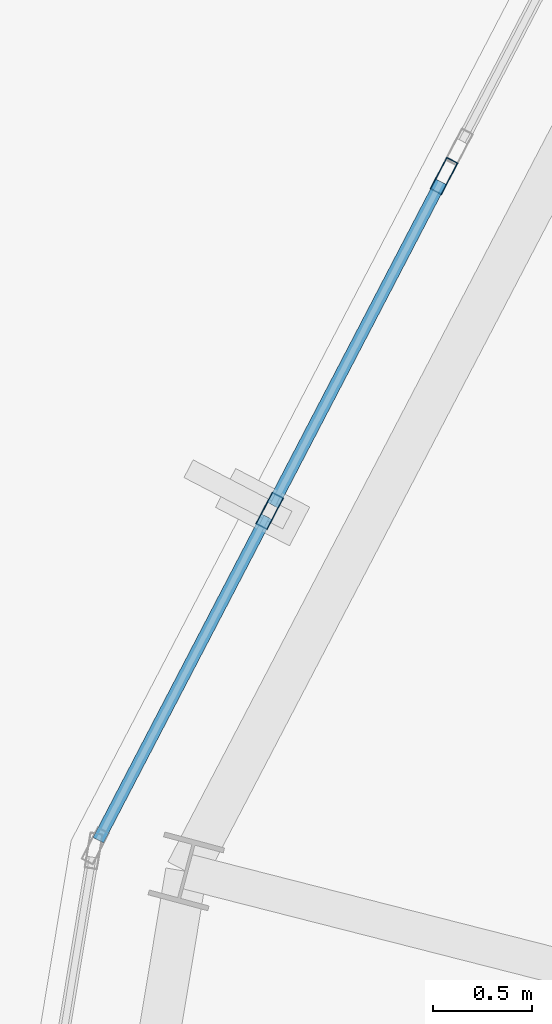
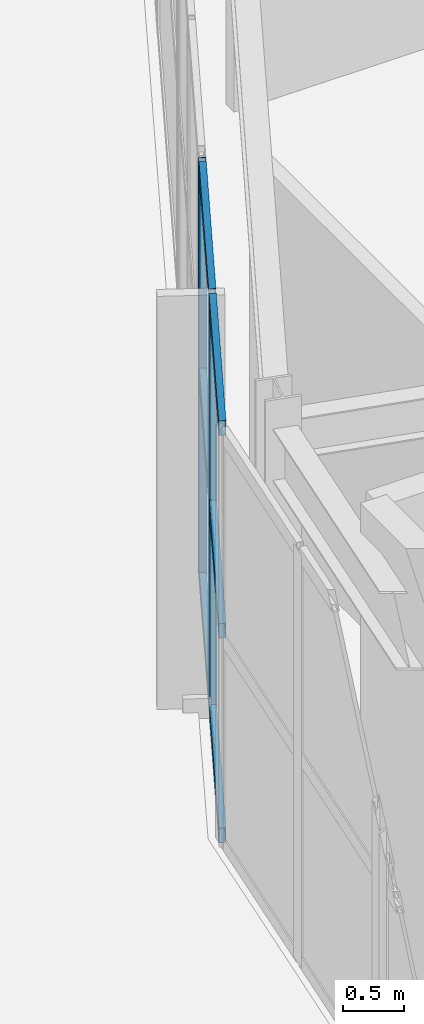
# One storey, part 52 of 126: 8 members, 1 element without a shape of its own.
"""IFC4 building model written with IfcOpenShell, lengths in metres."""

from ifc_helpers import new_model, si_unit, direction, frame, origin, origin_2d, place, context, subcontext, project, spatial, hollow_rectangle, extrude, material, layer, layer_set, material_profile, profile_set, type_object, element, aggregate, save


model = new_model("IFC4")

# Units and contexts
model_context = context("Model", 3, precision=1e-05, world=origin(), true_north=direction((0.0, 1.0)))
body_context = subcontext(model_context, "Body", "Model", "MODEL_VIEW")
ifc_project = project(units=[si_unit("LENGTHUNIT", "METRE"), si_unit("AREAUNIT", "SQUARE_METRE"), si_unit("VOLUMEUNIT", "CUBIC_METRE"), si_unit("PLANEANGLEUNIT", "RADIAN"), si_unit("MASSUNIT", "GRAM", prefix="KILO")], contexts=[model_context])

# Site, building, storey
site_placement = place(None, origin())
site = spatial("IfcSite", under=ifc_project, at=site_placement, CompositionType="ELEMENT")
building_placement = place(site_placement, origin())
building = spatial("IfcBuilding", under=site, at=building_placement, Name="Kalgoora Escarpment Arena", CompositionType="ELEMENT")
storey_placement = place(building_placement, frame((0.0, 0.0, 18.89990234375)))
storey = spatial("IfcBuildingStorey", under=building, at=storey_placement, Name="L04", CompositionType="ELEMENT", Elevation=18.89990234375)

# Curtain wall, members
ifc_material_1 = material(Name=" Champagne anodised aluminium & double-glazed low-E", Category="aluminium")
ifc_layer = layer(ifc_material_1, 0.162109375)
ifc_layer_set = layer_set([ifc_layer], Name="CW-UNIT-03")
curtain_wall_type = type_object("IfcCurtainWallType", Name="CW-UNIT-03", PredefinedType="NOTDEFINED", material=ifc_layer_set)
curtain_wall_placement = place(storey_placement, origin())
curtain_wall = element("IfcCurtainWall", 1, at=curtain_wall_placement, inside=storey, type_object=curtain_wall_type, Name="L04 unitised facade curtain wall 142", PredefinedType="NOTDEFINED")
ifc_material_2 = material(Name="Anodised aluminium 6063-T6", Category="aluminium")
ifc_material_profile_1 = material_profile(ifc_material_2, hollow_rectangle(XDim=0.06494140625, YDim=0.179931640625, WallThickness=0.00390625, at=origin_2d()))
ifc_profile_set_1 = profile_set([ifc_material_profile_1], Name="Anodised aluminium 6063-T6")
member_type_1 = type_object("IfcMemberType", Name="MEM-CW-MULL-180", PredefinedType="MULLION", material=ifc_profile_set_1)
member_1_placement = place(storey_placement, frame((23.466064453125, 80.56689453125, 0.02001953125), z_axis=(0.0, 0.0, 1.0), x_axis=(-0.886980759432, 0.461806379771, 0.0)))
member_1 = element("IfcMember", 2, at=member_1_placement, type_object=member_type_1, Name="CW-03 mullion 2", PredefinedType="MULLION", context=body_context, shape_type="SweptSolid", body=[
    extrude(hollow_rectangle(XDim=0.06494140625, YDim=0.179931640625, WallThickness=0.00390625, at=origin_2d()), origin(), (0.0, 0.0, 1.0), 4.16015625),
])
member_2_placement = place(storey_placement, frame((24.343505859375, 82.25244140625, 0.02001953125), z_axis=(0.0, 0.0, 1.0), x_axis=(-0.886980759432, 0.461806379771, 0.0)))
member_2 = element("IfcMember", 3, at=member_2_placement, type_object=member_type_1, Name="CW-03 mullion 3", PredefinedType="MULLION", context=body_context, shape_type="SweptSolid", body=[
    extrude(hollow_rectangle(XDim=0.06494140625, YDim=0.179931640625, WallThickness=0.00390625, at=origin_2d()), origin(), (0.0, 0.0, 1.0), 4.16015625),
])
ifc_material_3 = material(Name="Anodised aluminium 6063-T6", Category="aluminium")
ifc_material_profile_2 = material_profile(ifc_material_3, hollow_rectangle(XDim=0.06005859375, YDim=0.14990234375, WallThickness=0.00341796875, at=origin_2d()))
ifc_profile_set_2 = profile_set([ifc_material_profile_2], Name="Anodised aluminium 6063-T6")
member_type_2 = type_object("IfcMemberType", Name="MEM-CW-TRAN-150", PredefinedType="USERDEFINED", material=ifc_profile_set_2)
member_3_placement = place(storey_placement, frame((22.603515625, 78.91015625, 0.050048828125), z_axis=(0.461733845886, 0.887018520417, 0.0), x_axis=(-0.887018520417, 0.461733845886, 0.0)))
member_3 = element("IfcMember", 4, at=member_3_placement, type_object=member_type_2, Name="CW-03 transom 1.1", ObjectType="TRANSOM", PredefinedType="USERDEFINED", context=body_context, shape_type="SweptSolid", body=[
    extrude(hollow_rectangle(XDim=0.06005859375, YDim=0.14990234375, WallThickness=0.00341796875, at=origin_2d()), origin(), (0.0, 0.0, 1.0), 1.835205078125),
])
member_4_placement = place(storey_placement, frame((22.603515625, 78.91015625, 2.110107421875), z_axis=(0.461733845886, 0.887018520417, 0.0), x_axis=(-0.887018520417, 0.461733845886, 0.0)))
member_4 = element("IfcMember", 5, at=member_4_placement, type_object=member_type_2, Name="CW-03 transom 1.2", ObjectType="TRANSOM", PredefinedType="USERDEFINED", context=body_context, shape_type="SweptSolid", body=[
    extrude(hollow_rectangle(XDim=0.06005859375, YDim=0.14990234375, WallThickness=0.00341796875, at=origin_2d()), origin(), (0.0, 0.0, 1.0), 1.835205078125),
])
member_5_placement = place(storey_placement, frame((22.603515625, 78.91015625, 4.150146484375), z_axis=(0.461733845886, 0.887018520417, 0.0), x_axis=(-0.887018520417, 0.461733845886, 0.0)))
member_5 = element("IfcMember", 6, at=member_5_placement, type_object=member_type_2, Name="CW-03 transom 1.3", ObjectType="TRANSOM", PredefinedType="USERDEFINED", context=body_context, shape_type="SweptSolid", body=[
    extrude(hollow_rectangle(XDim=0.06005859375, YDim=0.14990234375, WallThickness=0.00341796875, at=origin_2d()), origin(), (0.0, 0.0, 1.0), 1.835205078125),
])
member_6_placement = place(storey_placement, frame((23.48095703125, 80.595703125, 0.050048828125), z_axis=(0.461733845886, 0.887018520417, 0.0), x_axis=(-0.887018520417, 0.461733845886, 0.0)))
member_6 = element("IfcMember", 7, at=member_6_placement, type_object=member_type_2, Name="CW-03 transom 2.1", ObjectType="TRANSOM", PredefinedType="USERDEFINED", context=body_context, shape_type="SweptSolid", body=[
    extrude(hollow_rectangle(XDim=0.06005859375, YDim=0.14990234375, WallThickness=0.00341796875, at=origin_2d()), origin(), (0.0, 0.0, 1.0), 1.835205078125),
])
member_7_placement = place(storey_placement, frame((23.48095703125, 80.595703125, 2.110107421875), z_axis=(0.461733845886, 0.887018520417, 0.0), x_axis=(-0.887018520417, 0.461733845886, 0.0)))
member_7 = element("IfcMember", 8, at=member_7_placement, type_object=member_type_2, Name="CW-03 transom 2.2", ObjectType="TRANSOM", PredefinedType="USERDEFINED", context=body_context, shape_type="SweptSolid", body=[
    extrude(hollow_rectangle(XDim=0.06005859375, YDim=0.14990234375, WallThickness=0.00341796875, at=origin_2d()), origin(), (0.0, 0.0, 1.0), 1.835205078125),
])
member_8_placement = place(storey_placement, frame((23.48095703125, 80.595703125, 4.150146484375), z_axis=(0.461733845886, 0.887018520417, 0.0), x_axis=(-0.887018520417, 0.461733845886, 0.0)))
member_8 = element("IfcMember", 9, at=member_8_placement, type_object=member_type_2, Name="CW-03 transom 2.3", ObjectType="TRANSOM", PredefinedType="USERDEFINED", context=body_context, shape_type="SweptSolid", body=[
    extrude(hollow_rectangle(XDim=0.06005859375, YDim=0.14990234375, WallThickness=0.00341796875, at=origin_2d()), origin(), (0.0, 0.0, 1.0), 1.835205078125),
])
aggregate(curtain_wall, [member_1, member_2, member_3, member_4, member_5, member_6, member_7, member_8])

save(model, "model.ifc")
